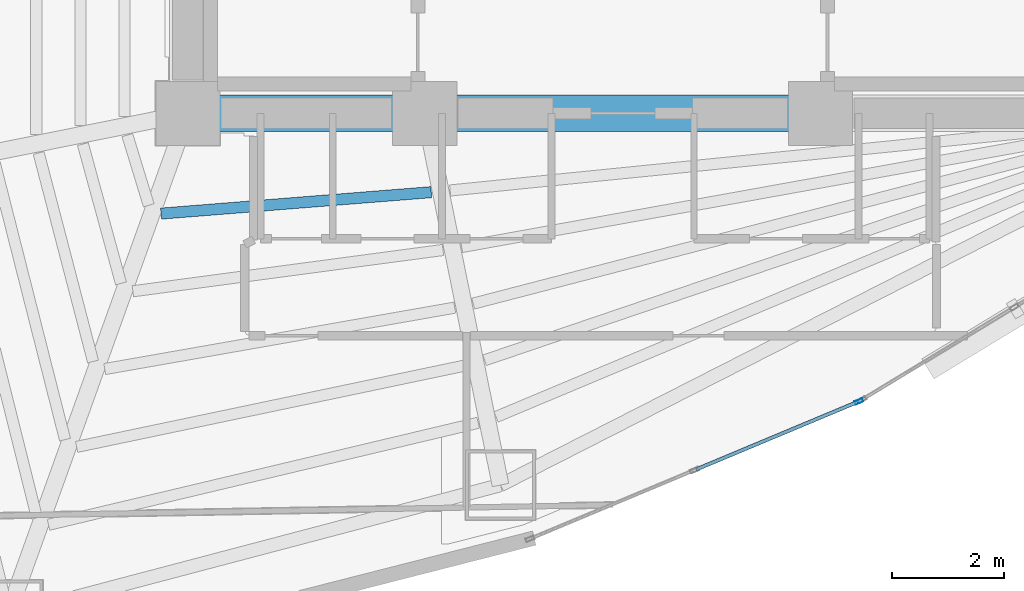
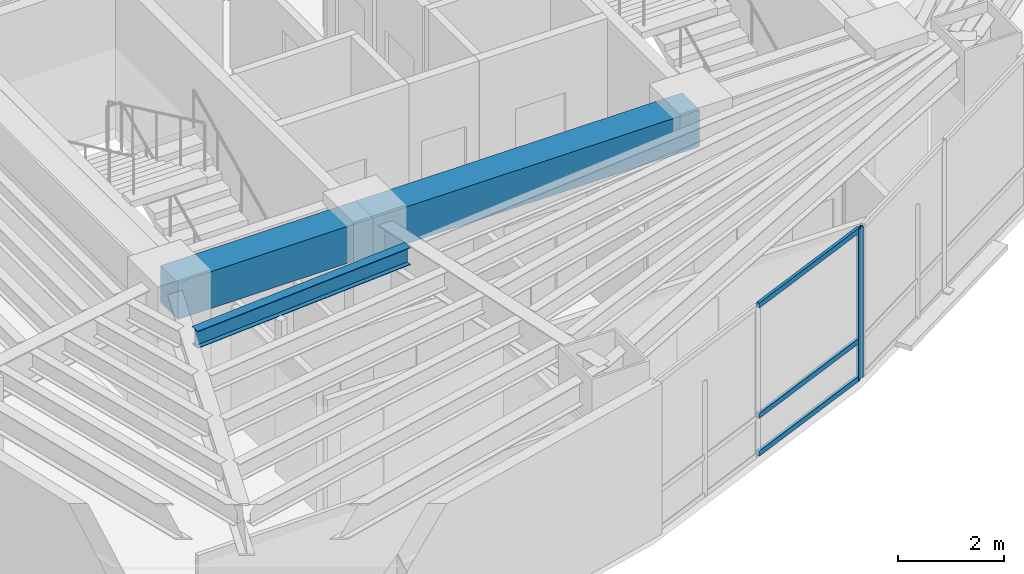
# One storey, part 4 of 19: 4 members, 3 beams, 1 element without a shape of its own.
"""IFC4 building model written with IfcOpenShell, lengths in metres."""

from ifc_helpers import new_model, si_unit, direction, frame, origin, origin_2d, place, context, subcontext, project, spatial, rectangle, hollow_rectangle, i_section, extrude, material, layer, layer_set, material_profile, profile_set, type_object, element, aggregate, save


model = new_model("IFC4")

# Units and contexts
model_context = context("Model", 3, precision=1e-05, world=origin(), true_north=direction((0.0, 1.0)))
body_context = subcontext(model_context, "Body", "Model", "MODEL_VIEW")
ifc_project = project(units=[si_unit("LENGTHUNIT", "METRE"), si_unit("AREAUNIT", "SQUARE_METRE"), si_unit("VOLUMEUNIT", "CUBIC_METRE"), si_unit("PLANEANGLEUNIT", "RADIAN"), si_unit("MASSUNIT", "GRAM", prefix="KILO")], contexts=[model_context])

# Site, building, storey
site_placement = place(None, origin())
site = spatial("IfcSite", under=ifc_project, at=site_placement, CompositionType="ELEMENT")
building_placement = place(site_placement, origin())
building = spatial("IfcBuilding", under=site, at=building_placement, Name="Menara Vayukalpa", CompositionType="ELEMENT")
storey_placement = place(building_placement, frame((0.0, 0.0, 122.580078125)))
storey = spatial("IfcBuildingStorey", under=building, at=storey_placement, Name="L30", CompositionType="ELEMENT", Elevation=122.580078125)

# Beams
ifc_material_1 = material(Name="Concrete C60/75", Category="concrete")
ifc_material_profile_1 = material_profile(ifc_material_1, rectangle(XDim=0.64990234375, YDim=0.85009765625, at=origin_2d()), Name="RC 650x850")
ifc_profile_set_1 = profile_set([ifc_material_profile_1], Name="Concrete C60/75")
beam_type_1 = type_object("IfcBeamType", Name="BM-CB1", PredefinedType="BEAM", material=ifc_profile_set_1)
beam_1_placement = place(storey_placement, frame((17.800048828125, 17.199951171875, 3.044921875), z_axis=(1.0, 0.0, 0.0), x_axis=(0.0, 1.0, 0.0)))
element("IfcBeam", 1, at=beam_1_placement, inside=storey, type_object=beam_type_1, Name="L30 Core Tie Beam CBR1", PredefinedType="BEAM", context=body_context, shape_type="SweptSolid", body=[
    extrude(rectangle(XDim=0.64990234375, YDim=0.85009765625, at=origin_2d()), origin(), (0.0, 0.0, 1.0), 4.25),
])
beam_2_placement = place(storey_placement, frame((22.050048828125, 17.199951171875, 3.044921875), z_axis=(1.0, 0.0, 0.0), x_axis=(0.0, 1.0, 0.0)))
element("IfcBeam", 2, at=beam_2_placement, inside=storey, type_object=beam_type_1, Name="L30 Core Tie Beam CBR2", PredefinedType="BEAM", context=body_context, shape_type="SweptSolid", body=[
    extrude(rectangle(XDim=0.64990234375, YDim=0.85009765625, at=origin_2d()), origin(), (0.0, 0.0, 1.0), 7.099853515625),
])
ifc_material_2 = material(Name="Steel S355", Category="steel")
ifc_material_profile_2 = material_profile(ifc_material_2, i_section(OverallWidth=0.199951171875, OverallDepth=0.39990234375, WebThickness=0.008056640625, FlangeThickness=0.012939453125, at=origin_2d()), Name="WF 400x200x8x13")
ifc_profile_set_2 = profile_set([ifc_material_profile_2], Name="Steel S355")
beam_type_2 = type_object("IfcBeamType", Name="BM-SJ2", PredefinedType="JOIST", material=ifc_profile_set_2)
beam_3_placement = place(storey_placement, frame((17.318603515625, 15.40087890625, 3.27001953125), z_axis=(0.996868534468, 0.079076703187, 0.0), x_axis=(-0.079076703187, 0.996868534468, 0.0)))
element("IfcBeam", 3, at=beam_3_placement, inside=storey, type_object=beam_type_2, Name="L30 Secondary Floor Joist SJ07-1", PredefinedType="JOIST", context=body_context, shape_type="SweptSolid", body=[
    extrude(i_section(OverallWidth=0.199951171875, OverallDepth=0.39990234375, WebThickness=0.008056640625, FlangeThickness=0.012939453125, at=origin_2d()), origin(), (0.0, 0.0, 1.0), 4.862548828125),
])

# Curtain wall, members
ifc_material_3 = material(Name="Anodised Terracotta Aluminium Alloy 6063-T6", Category="masonry")
ifc_layer = layer(ifc_material_3, 0.14990234375)
ifc_layer_set = layer_set([ifc_layer], Name="Anodised Terracotta Aluminium Alloy 6063-T6")
curtain_wall_type = type_object("IfcCurtainWallType", Name="CW-CW3", PredefinedType="USERDEFINED", material=ifc_layer_set)
curtain_wall_placement = place(storey_placement, origin())
curtain_wall = element("IfcCurtainWall", 4, at=curtain_wall_placement, inside=storey, type_object=curtain_wall_type, Name="L30 Mid Rise Terracotta Ribbon Curtain Wall CW3 16", ObjectType="UNITISED", PredefinedType="USERDEFINED")
ifc_material_4 = material(Name="Anodised Terracotta Aluminium Alloy 6063-T6", Category="masonry")
ifc_material_profile_3 = material_profile(ifc_material_4, hollow_rectangle(XDim=0.06494140625, YDim=0.14990234375, WallThickness=0.00341796875, at=origin_2d()), Name="ALU 65x150x3.5")
ifc_profile_set_3 = profile_set([ifc_material_profile_3], Name="Anodised Terracotta Aluminium Alloy 6063-T6")
member_type_1 = type_object("IfcMemberType", Name="CWM-CW3", PredefinedType="MULLION", material=ifc_profile_set_3)
member_1_placement = place(storey_placement, frame((29.8359375, 12.0322265625, 0.0), z_axis=(0.0, 0.0, 1.0), x_axis=(-0.38589358437, 0.922543300632, 0.0)))
member_1 = element("IfcMember", 5, at=member_1_placement, type_object=member_type_1, Name="CW3 mullion 3", PredefinedType="MULLION", context=body_context, shape_type="SweptSolid", body=[
    extrude(hollow_rectangle(XDim=0.06494140625, YDim=0.14990234375, WallThickness=0.00341796875, at=origin_2d()), origin(), (0.0, 0.0, 1.0), 3.469970703125),
])
ifc_material_5 = material(Name="Anodised Terracotta Aluminium Alloy 6063-T6", Category="masonry")
ifc_material_profile_4 = material_profile(ifc_material_5, hollow_rectangle(XDim=0.06494140625, YDim=0.1201171875, WallThickness=0.00341796875, at=origin_2d()), Name="ALU 65x120x3.5")
ifc_profile_set_4 = profile_set([ifc_material_profile_4], Name="Anodised Terracotta Aluminium Alloy 6063-T6")
member_type_2 = type_object("IfcMemberType", Name="CWT-CW3", PredefinedType="USERDEFINED", material=ifc_profile_set_4)
member_2_placement = place(storey_placement, frame((26.916748046875, 10.81103515625, 0.032470703125), z_axis=(0.922517812792, 0.385954511673, 0.0), x_axis=(-0.385954511673, 0.922517812792, 0.0)))
member_2 = element("IfcMember", 6, at=member_2_placement, type_object=member_type_2, Name="CW3 transom 2.1", ObjectType="TRANSOM", PredefinedType="USERDEFINED", context=body_context, shape_type="SweptSolid", body=[
    extrude(hollow_rectangle(XDim=0.06494140625, YDim=0.1201171875, WallThickness=0.00341796875, at=origin_2d()), origin(), (0.0, 0.0, 1.0), 3.1318359375),
])
member_3_placement = place(storey_placement, frame((26.916748046875, 10.81103515625, 0.89990234375), z_axis=(0.922517812792, 0.385954511673, 0.0), x_axis=(-0.385954511673, 0.922517812792, 0.0)))
member_3 = element("IfcMember", 7, at=member_3_placement, type_object=member_type_2, Name="CW3 transom 2.2", ObjectType="TRANSOM", PredefinedType="USERDEFINED", context=body_context, shape_type="SweptSolid", body=[
    extrude(hollow_rectangle(XDim=0.06494140625, YDim=0.1201171875, WallThickness=0.00341796875, at=origin_2d()), origin(), (0.0, 0.0, 1.0), 3.1318359375),
])
member_4_placement = place(storey_placement, frame((26.916748046875, 10.81103515625, 3.4375), z_axis=(0.922517812792, 0.385954511673, 0.0), x_axis=(-0.385954511673, 0.922517812792, 0.0)))
member_4 = element("IfcMember", 8, at=member_4_placement, type_object=member_type_2, Name="CW3 transom 2.3", ObjectType="TRANSOM", PredefinedType="USERDEFINED", context=body_context, shape_type="SweptSolid", body=[
    extrude(hollow_rectangle(XDim=0.06494140625, YDim=0.1201171875, WallThickness=0.00341796875, at=origin_2d()), origin(), (0.0, 0.0, 1.0), 3.1318359375),
])
aggregate(curtain_wall, [member_1, member_2, member_3, member_4])

save(model, "model.ifc")
